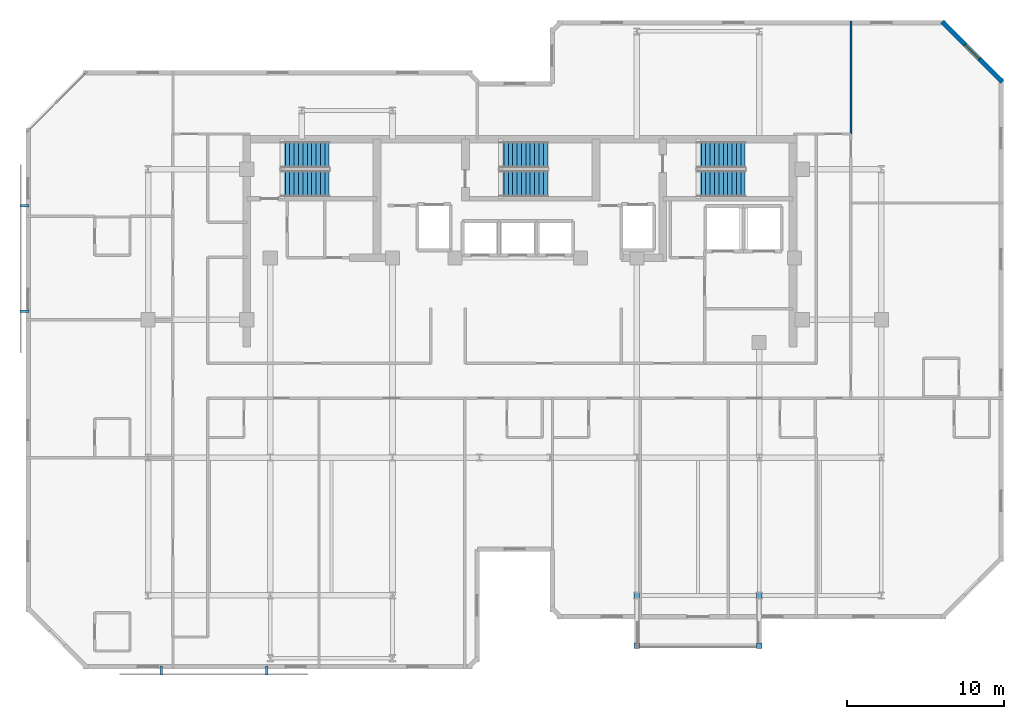
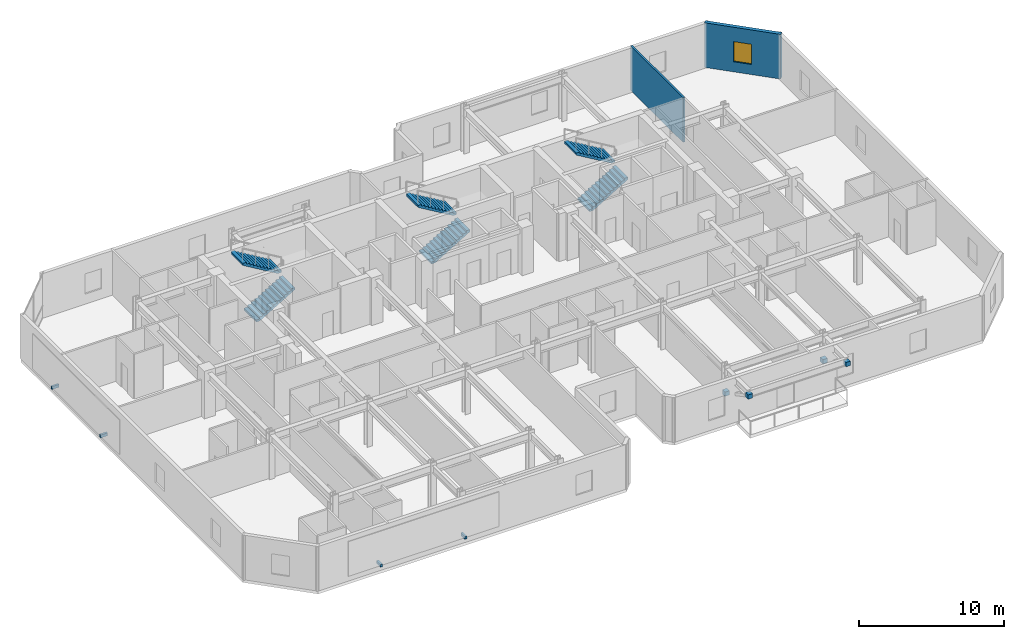
# One storey, part 8 of 10: 8 discrete accessories, 6 stair flights, 2 walls, 1 window, 1 opening, 3 elements without a shape of their own.
"""IFC4 building model written with IfcOpenShell, lengths in metres."""

from ifc_helpers import new_model, si_unit, direction, frame, frame_2d, origin, origin_2d, place, context, subcontext, project, spatial, polyline, rectangle, outline, extrude, material, layer, layer_set, type_object, element, fill, aggregate, save


model = new_model("IFC4")

# Units and contexts
model_context = context("Model", 3, precision=1e-05, world=origin(), true_north=direction((0.0, 1.0)))
body_context = subcontext(model_context, "Body", "Model", "MODEL_VIEW")
ifc_project = project(units=[si_unit("LENGTHUNIT", "METRE"), si_unit("AREAUNIT", "SQUARE_METRE"), si_unit("VOLUMEUNIT", "CUBIC_METRE"), si_unit("PLANEANGLEUNIT", "RADIAN"), si_unit("MASSUNIT", "GRAM", prefix="KILO")], contexts=[model_context])

# Site, building, storey
site_placement = place(None, origin())
site = spatial("IfcSite", under=ifc_project, at=site_placement, CompositionType="ELEMENT")
building_placement = place(site_placement, origin())
building = spatial("IfcBuilding", under=site, at=building_placement, Name="Kestravale Grand Hotel", CompositionType="ELEMENT")
storey_placement = place(building_placement, frame((0.0, 0.0, 285.39990234375)))
storey = spatial("IfcBuildingStorey", under=building, at=storey_placement, Name="L71", CompositionType="ELEMENT", Elevation=285.39990234375)

# Wall, opening, window
ifc_material_1 = material(Name="Precast concrete f'c 45 MPa", Category="concrete")
ifc_layer_1 = layer(ifc_material_1, 0.280029296875)
ifc_layer_set_1 = layer_set([ifc_layer_1], Name="EW-PREC-280")
wall_type_1 = type_object("IfcWallType", Name="EW-PREC-280", PredefinedType="SOLIDWALL", material=ifc_layer_set_1)
wall_1_placement = place(storey_placement, frame((70.12939453125, 43.97265625, 0.0), z_axis=(0.0, 0.0, 1.0), x_axis=(-0.707106781187, 0.707106781187, 0.0)))
wall_1 = element("IfcWall", 1, at=wall_1_placement, inside=storey, type_object=wall_type_1, Name="L71 fluted precast facade wall 10", PredefinedType="SOLIDWALL", context=body_context, shape_type="SweptSolid", body=[
    extrude(rectangle(XDim=5.4541015625, YDim=0.280029296875, at=frame_2d((2.72705078125, 0.0))), origin(), (0.0, 0.0, 1.0), 3.760009765625),
])
opening_placement = place(wall_1_placement, frame((2.076904296875, 0.0, 0.85009765625)))
opening = element("IfcOpeningElement", 2, at=opening_placement, cuts=wall_1, Name="Opening W-GUEST-1300", PredefinedType="OPENING", context=body_context, shape_type="SweptSolid", body=[
    extrude(rectangle(XDim=1.300048828125, YDim=1.699951171875, at=frame_2d((0.64990234375, 0.85009765625))), frame((0.0, 0.14990234375, 0.0), z_axis=(0.0, -1.0, 0.0), x_axis=(1.0, 0.0, 0.0)), (0.0, 0.0, 1.0), 0.300048828125),
])
ifc_material_2 = material(Name="Insulated low-E double glazing in aluminium frame", Category="aluminium")
window_type = type_object("IfcWindowType", Name="W-GUEST-1300", PartitioningType="SINGLE_PANEL", PredefinedType="WINDOW", material=ifc_material_2)
window_placement = place(opening_placement, origin())
window = element("IfcWindow", 3, at=window_placement, inside=storey, type_object=window_type, Name="L71 exterior window 10.1", OverallHeight=1.699951171875, OverallWidth=1.300048828125, PartitioningType="SINGLE_PANEL", PredefinedType="WINDOW", context=body_context, shape_type="SweptSolid", body=[
    extrude(rectangle(XDim=1.300048828125, YDim=1.699951171875, at=frame_2d((0.64990234375, 0.85009765625))), frame((0.0, 0.030029296875, 0.0), z_axis=(0.0, -1.0, 0.0), x_axis=(1.0, 0.0, 0.0)), (0.0, 0.0, 1.0), 0.06005859375),
])
fill(opening, window)

# Wall
ifc_material_3 = material(Name="Double-stud STC 52 acoustic demising partition", Category="other")
ifc_layer_2 = layer(ifc_material_3, 0.14990234375)
ifc_layer_set_2 = layer_set([ifc_layer_2], Name="IW-UNIT-150")
wall_type_2 = type_object("IfcWallType", Name="IW-UNIT-150", PredefinedType="PARTITIONING", material=ifc_layer_set_2)
wall_2_placement = place(storey_placement, frame((60.4599609375, 40.64990234375, 0.0), z_axis=(0.0, 0.0, 1.0), x_axis=(0.0, 1.0, 0.0)))
element("IfcWall", 4, at=wall_2_placement, inside=storey, type_object=wall_type_2, Name="W-L71-NGE-E", PredefinedType="PARTITIONING", context=body_context, shape_type="SweptSolid", body=[
    extrude(rectangle(XDim=7.22998046875, YDim=0.14990234375, at=frame_2d((3.614990234375, 0.0))), origin(), (0.0, 0.0, 1.0), 3.760009765625),
])

# Stair, stair flights
ifc_material_4 = material(Name="Concrete f'c 45 MPa", Category="concrete")
stair_type = type_object("IfcStairType", Name="ST-CORE-400", PredefinedType="HALF_TURN_STAIR", material=ifc_material_4)
stair_1_placement = place(storey_placement, origin())
stair_1 = element("IfcStair", 5, at=stair_1_placement, inside=storey, type_object=stair_type, Name="L71 ST-1", PredefinedType="HALF_TURN_STAIR")
ifc_material_5 = material(Name="Concrete f'c 45 MPa", Category="concrete")
stair_flight_type = type_object("IfcStairFlightType", Name="STF-CORE-400", PredefinedType="STRAIGHT", material=ifc_material_5)
stair_flight_1_placement = place(storey_placement, frame((24.080078125, 37.489990234375, 0.0), z_axis=(0.0, 0.0, 1.0), x_axis=(1.0, 0.0, 0.0)))
stair_flight_1 = element("IfcStairFlight", 6, at=stair_flight_1_placement, type_object=stair_flight_type, Name="ST-1 flight 1", NumberOfRisers=12, NumberOfTreads=11, PredefinedType="STRAIGHT", RiserHeight=0.166666667, TreadLength=0.28, context=body_context, shape_type="SweptSolid", body=[
    extrude(outline(polyline([(0.0, 0.0), (0.0, 0.166748046875), (0.280029296875, 0.166748046875), (0.280029296875, 0.333251953125), (0.56005859375, 0.333251953125), (0.56005859375, 0.5), (0.840087890625, 0.5), (0.840087890625, 0.666748046875), (1.1201171875, 0.666748046875), (1.1201171875, 0.833251953125), (1.39990234375, 0.833251953125), (1.39990234375, 1.0), (1.679931640625, 1.0), (1.679931640625, 1.166748046875), (1.9599609375, 1.166748046875), (1.9599609375, 1.333251953125), (2.239990234375, 1.333251953125), (2.239990234375, 1.5), (2.52001953125, 1.5), (2.52001953125, 1.666748046875), (2.800048828125, 1.666748046875), (2.800048828125, 1.833251953125), (3.080078125, 1.833251953125), (3.080078125, 2.0), (3.080078125, 1.658935546875), (0.29296875, 0.0), (0.0, 0.0)])), frame((0.0, 0.83984375, 0.0), z_axis=(0.0, -1.0, 0.0), x_axis=(1.0, 0.0, 0.0)), (0.0, 0.0, 1.0), 1.679931640625),
])
stair_flight_2_placement = place(storey_placement, frame((27.159912109375, 39.320068359375, 2.0), z_axis=(0.0, 0.0, 1.0), x_axis=(-1.0, 0.0, 0.0)))
stair_flight_2 = element("IfcStairFlight", 7, at=stair_flight_2_placement, type_object=stair_flight_type, Name="ST-1 flight 2", NumberOfRisers=12, NumberOfTreads=11, PredefinedType="STRAIGHT", RiserHeight=0.166666667, TreadLength=0.28, context=body_context, shape_type="SweptSolid", body=[
    extrude(outline(polyline([(0.0, 0.0), (0.0, 0.166748046875), (0.280029296875, 0.166748046875), (0.280029296875, 0.333251953125), (0.56005859375, 0.333251953125), (0.56005859375, 0.5), (0.840087890625, 0.5), (0.840087890625, 0.666748046875), (1.1201171875, 0.666748046875), (1.1201171875, 0.833251953125), (1.39990234375, 0.833251953125), (1.39990234375, 1.0), (1.679931640625, 1.0), (1.679931640625, 1.166748046875), (1.9599609375, 1.166748046875), (1.9599609375, 1.333251953125), (2.239990234375, 1.333251953125), (2.239990234375, 1.5), (2.52001953125, 1.5), (2.52001953125, 1.666748046875), (2.800048828125, 1.666748046875), (2.800048828125, 1.833251953125), (3.080078125, 1.833251953125), (3.080078125, 2.0), (3.080078125, 1.658935546875), (0.29296875, 0.0), (0.0, 0.0)])), frame((0.0, 0.83984375, 0.0), z_axis=(0.0, -1.0, 0.0), x_axis=(1.0, 0.0, 0.0)), (0.0, 0.0, 1.0), 1.679931640625),
])
aggregate(stair_1, [stair_flight_1, stair_flight_2])

stair_2_placement = place(storey_placement, origin())
stair_2 = element("IfcStair", 8, at=stair_2_placement, inside=storey, type_object=stair_type, Name="L71 ST-2", PredefinedType="HALF_TURN_STAIR")
stair_flight_3_placement = place(storey_placement, frame((38.030029296875, 37.489990234375, 0.0), z_axis=(0.0, 0.0, 1.0), x_axis=(1.0, 0.0, 0.0)))
stair_flight_3 = element("IfcStairFlight", 9, at=stair_flight_3_placement, type_object=stair_flight_type, Name="ST-2 flight 1", NumberOfRisers=12, NumberOfTreads=11, PredefinedType="STRAIGHT", RiserHeight=0.166666667, TreadLength=0.28, context=body_context, shape_type="SweptSolid", body=[
    extrude(outline(polyline([(0.0, 0.0), (0.0, 0.166748046875), (0.280029296875, 0.166748046875), (0.280029296875, 0.333251953125), (0.56005859375, 0.333251953125), (0.56005859375, 0.5), (0.840087890625, 0.5), (0.840087890625, 0.666748046875), (1.1201171875, 0.666748046875), (1.1201171875, 0.833251953125), (1.39990234375, 0.833251953125), (1.39990234375, 1.0), (1.679931640625, 1.0), (1.679931640625, 1.166748046875), (1.9599609375, 1.166748046875), (1.9599609375, 1.333251953125), (2.239990234375, 1.333251953125), (2.239990234375, 1.5), (2.52001953125, 1.5), (2.52001953125, 1.666748046875), (2.800048828125, 1.666748046875), (2.800048828125, 1.833251953125), (3.080078125, 1.833251953125), (3.080078125, 2.0), (3.080078125, 1.658935546875), (0.29296875, 0.0), (0.0, 0.0)])), frame((0.0, 0.83984375, 0.0), z_axis=(0.0, -1.0, 0.0), x_axis=(1.0, 0.0, 0.0)), (0.0, 0.0, 1.0), 1.679931640625),
])
stair_flight_4_placement = place(storey_placement, frame((41.110107421875, 39.320068359375, 2.0), z_axis=(0.0, 0.0, 1.0), x_axis=(-1.0, 0.0, 0.0)))
stair_flight_4 = element("IfcStairFlight", 10, at=stair_flight_4_placement, type_object=stair_flight_type, Name="ST-2 flight 2", NumberOfRisers=12, NumberOfTreads=11, PredefinedType="STRAIGHT", RiserHeight=0.166666667, TreadLength=0.28, context=body_context, shape_type="SweptSolid", body=[
    extrude(outline(polyline([(0.0, 0.0), (0.0, 0.166748046875), (0.280029296875, 0.166748046875), (0.280029296875, 0.333251953125), (0.56005859375, 0.333251953125), (0.56005859375, 0.5), (0.840087890625, 0.5), (0.840087890625, 0.666748046875), (1.1201171875, 0.666748046875), (1.1201171875, 0.833251953125), (1.39990234375, 0.833251953125), (1.39990234375, 1.0), (1.679931640625, 1.0), (1.679931640625, 1.166748046875), (1.9599609375, 1.166748046875), (1.9599609375, 1.333251953125), (2.239990234375, 1.333251953125), (2.239990234375, 1.5), (2.52001953125, 1.5), (2.52001953125, 1.666748046875), (2.800048828125, 1.666748046875), (2.800048828125, 1.833251953125), (3.080078125, 1.833251953125), (3.080078125, 2.0), (3.080078125, 1.658935546875), (0.29296875, 0.0), (0.0, 0.0)])), frame((0.0, 0.83984375, 0.0), z_axis=(0.0, -1.0, 0.0), x_axis=(1.0, 0.0, 0.0)), (0.0, 0.0, 1.0), 1.679931640625),
])
aggregate(stair_2, [stair_flight_3, stair_flight_4])

stair_3_placement = place(storey_placement, origin())
stair_3 = element("IfcStair", 11, at=stair_3_placement, inside=storey, type_object=stair_type, Name="L71 ST-3", PredefinedType="HALF_TURN_STAIR")
stair_flight_5_placement = place(storey_placement, frame((50.6298828125, 37.489990234375, 0.0), z_axis=(0.0, 0.0, 1.0), x_axis=(1.0, 0.0, 0.0)))
stair_flight_5 = element("IfcStairFlight", 12, at=stair_flight_5_placement, type_object=stair_flight_type, Name="ST-3 flight 1", NumberOfRisers=12, NumberOfTreads=11, PredefinedType="STRAIGHT", RiserHeight=0.166666667, TreadLength=0.28, context=body_context, shape_type="SweptSolid", body=[
    extrude(outline(polyline([(0.0, 0.0), (0.0, 0.166748046875), (0.280029296875, 0.166748046875), (0.280029296875, 0.333251953125), (0.56005859375, 0.333251953125), (0.56005859375, 0.5), (0.840087890625, 0.5), (0.840087890625, 0.666748046875), (1.1201171875, 0.666748046875), (1.1201171875, 0.833251953125), (1.39990234375, 0.833251953125), (1.39990234375, 1.0), (1.679931640625, 1.0), (1.679931640625, 1.166748046875), (1.9599609375, 1.166748046875), (1.9599609375, 1.333251953125), (2.239990234375, 1.333251953125), (2.239990234375, 1.5), (2.52001953125, 1.5), (2.52001953125, 1.666748046875), (2.800048828125, 1.666748046875), (2.800048828125, 1.833251953125), (3.080078125, 1.833251953125), (3.080078125, 2.0), (3.080078125, 1.658935546875), (0.29296875, 0.0), (0.0, 0.0)])), frame((0.0, 0.83984375, 0.0), z_axis=(0.0, -1.0, 0.0), x_axis=(1.0, 0.0, 0.0)), (0.0, 0.0, 1.0), 1.679931640625),
])
stair_flight_6_placement = place(storey_placement, frame((53.7099609375, 39.320068359375, 2.0), z_axis=(0.0, 0.0, 1.0), x_axis=(-1.0, 0.0, 0.0)))
stair_flight_6 = element("IfcStairFlight", 13, at=stair_flight_6_placement, type_object=stair_flight_type, Name="ST-3 flight 2", NumberOfRisers=12, NumberOfTreads=11, PredefinedType="STRAIGHT", RiserHeight=0.166666667, TreadLength=0.28, context=body_context, shape_type="SweptSolid", body=[
    extrude(outline(polyline([(0.0, 0.0), (0.0, 0.166748046875), (0.280029296875, 0.166748046875), (0.280029296875, 0.333251953125), (0.56005859375, 0.333251953125), (0.56005859375, 0.5), (0.840087890625, 0.5), (0.840087890625, 0.666748046875), (1.1201171875, 0.666748046875), (1.1201171875, 0.833251953125), (1.39990234375, 0.833251953125), (1.39990234375, 1.0), (1.679931640625, 1.0), (1.679931640625, 1.166748046875), (1.9599609375, 1.166748046875), (1.9599609375, 1.333251953125), (2.239990234375, 1.333251953125), (2.239990234375, 1.5), (2.52001953125, 1.5), (2.52001953125, 1.666748046875), (2.800048828125, 1.666748046875), (2.800048828125, 1.833251953125), (3.080078125, 1.833251953125), (3.080078125, 2.0), (3.080078125, 1.658935546875), (0.29296875, 0.0), (0.0, 0.0)])), frame((0.0, 0.83984375, 0.0), z_axis=(0.0, -1.0, 0.0), x_axis=(1.0, 0.0, 0.0)), (0.0, 0.0, 1.0), 1.679931640625),
])
aggregate(stair_3, [stair_flight_5, stair_flight_6])

# Discrete accessories
ifc_material_6 = material(Name="Steel ASTM A572 Grade 50 hot-dip galvanised bracket", Category="steel")
discrete_accessory_type = type_object("IfcDiscreteAccessoryType", Name="ACC-BRK-STL", PredefinedType="BRACKET", material=ifc_material_6)
for number, where, z_axis, x_axis, name in (
    (14, (46.800048828125, 11.199951171875, 1.39404296875), (0.0, 0.0, 1.0), (1.0, 0.0, 0.0), "L72 terrace strut column bracket 1"),
    (15, (46.800048828125, 8.0, 3.09423828125), (0.0, 0.0, 1.0), (1.0, 0.0, 0.0), "L72 terrace strut beam bracket 1"),
    (16, (54.60009765625, 11.199951171875, 1.39404296875), (0.0, 0.0, 1.0), (1.0, 0.0, 0.0), "L72 terrace strut column bracket 2"),
    (17, (54.60009765625, 8.0, 3.09423828125), (0.0, 0.0, 1.0), (1.0, 0.0, 0.0), "L72 terrace strut beam bracket 2"),
):
    element("IfcDiscreteAccessory", number, at=place(storey_placement, frame(where, z_axis=z_axis, x_axis=x_axis)), inside=storey, type_object=discrete_accessory_type, Name=name, PredefinedType="BRACKET", context=body_context, shape_type="SweptSolid", body=[
        extrude(rectangle(XDim=0.360107421875, YDim=0.360107421875, at=origin_2d()), origin(), (0.0, 0.0, 1.0), 0.360107421875),
    ])
for number, where, z_axis, x_axis, name in (
    (18, (16.43994140625, 6.405029296875, 0.56005859375), (0.0, 0.0, 1.0), (1.0, 0.0, 0.0), "L71 solar screen standoff bracket 1"),
    (19, (23.159912109375, 6.405029296875, 0.56005859375), (0.0, 0.0, 1.0), (1.0, 0.0, 0.0), "L71 solar screen standoff bracket 2"),
    (20, (7.705078125, 36.06005859375, 0.56005859375), (0.0, 0.0, 1.0), (0.0, -1.0, 0.0), "L71 solar screen standoff bracket 1"),
    (21, (7.705078125, 29.340087890625, 0.56005859375), (0.0, 0.0, 1.0), (0.0, -1.0, 0.0), "L71 solar screen standoff bracket 2"),
):
    element("IfcDiscreteAccessory", number, at=place(storey_placement, frame(where, z_axis=z_axis, x_axis=x_axis)), inside=storey, type_object=discrete_accessory_type, Name=name, PredefinedType="BRACKET", context=body_context, shape_type="SweptSolid", body=[
        extrude(rectangle(XDim=0.159912109375, YDim=0.56005859375, at=origin_2d()), origin(), (0.0, 0.0, 1.0), 0.239990234375),
    ])

save(model, "model.ifc")
